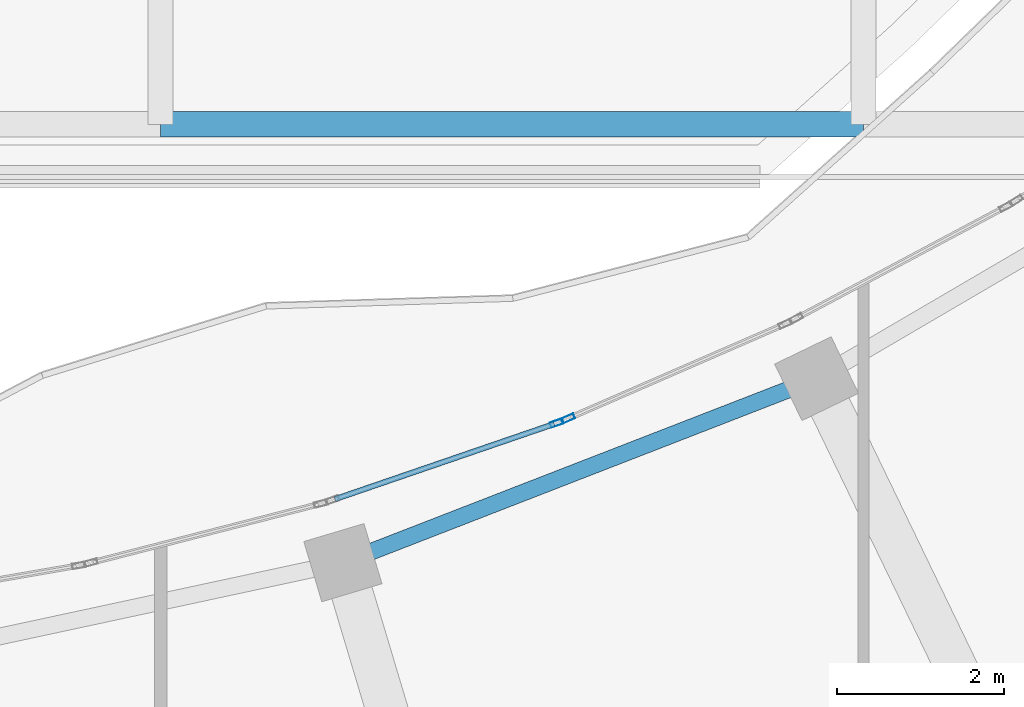
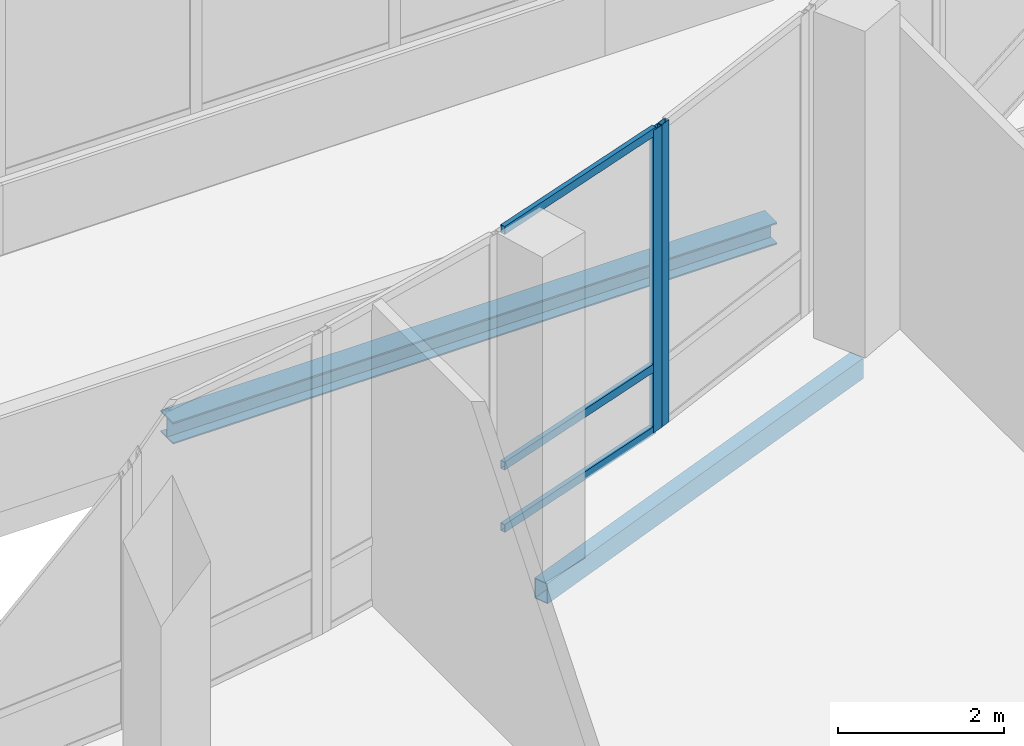
# One storey, part 36 of 168: 5 members, 2 beams, 2 elements without a shape of their own.
"""IFC4 building model written with IfcOpenShell, lengths in metres."""

from ifc_helpers import new_model, si_unit, direction, frame, origin, origin_2d, place, context, subcontext, project, spatial, hollow_rectangle, i_section, extrude, material, material_profile, profile_set, type_object, element, aggregate, save


model = new_model("IFC4")

# Units and contexts
model_context = context("Model", 3, precision=1e-05, world=origin(), true_north=direction((0.0, 1.0)))
body_context = subcontext(model_context, "Body", "Model", "MODEL_VIEW")
ifc_project = project(units=[si_unit("LENGTHUNIT", "METRE"), si_unit("AREAUNIT", "SQUARE_METRE"), si_unit("VOLUMEUNIT", "CUBIC_METRE"), si_unit("PLANEANGLEUNIT", "RADIAN"), si_unit("MASSUNIT", "GRAM", prefix="KILO")], contexts=[model_context])

# Site, building, storey
site_placement = place(None, origin())
site = spatial("IfcSite", under=ifc_project, at=site_placement, CompositionType="ELEMENT")
building_placement = place(site_placement, origin())
building = spatial("IfcBuilding", under=site, at=building_placement, Name="Selatvlak General Hospital", CompositionType="ELEMENT")
storey_placement = place(building_placement, frame((0.0, 0.0, 5.39990234375)))
storey = spatial("IfcBuildingStorey", under=building, at=storey_placement, Name="L01", CompositionType="ELEMENT", Elevation=5.39990234375)

# Beams
ifc_material_1 = material(Name="Steel S355", Category="steel")
ifc_material_profile_1 = material_profile(ifc_material_1, i_section(OverallWidth=0.300048828125, OverallDepth=0.320068359375, WebThickness=0.011474609375, FlangeThickness=0.0205078125, at=origin_2d()), Name="HEB 320")
ifc_profile_set_1 = profile_set([ifc_material_profile_1], Name="Steel S355")
beam_type_1 = type_object("IfcBeamType", Name="BM-CAN", PredefinedType="BEAM", material=ifc_profile_set_1)
beam_1_placement = place(storey_placement, frame((64.800048828125, 48.10009765625, -0.47998046875), z_axis=(1.0, 0.0, 0.0), x_axis=(0.0, 1.0, 0.0)))
element("IfcBeam", 1, at=beam_1_placement, inside=storey, type_object=beam_type_1, Name="Beam BMR-L01-2943", PredefinedType="BEAM", context=body_context, shape_type="SweptSolid", body=[
    extrude(i_section(OverallWidth=0.300048828125, OverallDepth=0.320068359375, WebThickness=0.011474609375, FlangeThickness=0.0205078125, at=origin_2d()), origin(), (0.0, 0.0, 1.0), 8.39990234375),
])
ifc_material_profile_2 = material_profile(ifc_material_1, hollow_rectangle(XDim=0.199951171875, YDim=0.300048828125, WallThickness=0.011962890625, at=origin_2d()), Name="RHS 300x200x12")
ifc_profile_set_2 = profile_set([ifc_material_profile_2], Name="Steel S355")
beam_type_2 = type_object("IfcBeamType", Name="BM-SP3", PredefinedType="SPANDREL", material=ifc_profile_set_2)
beam_2_placement = place(storey_placement, frame((66.97900390625, 42.861083984375, -0.469970703125), z_axis=(0.932142667184, 0.362091215048, 0.0), x_axis=(-0.362091215048, 0.932142667184, 0.0)))
element("IfcBeam", 2, at=beam_2_placement, inside=storey, type_object=beam_type_2, Name="Beam BMR-L01-0741", PredefinedType="SPANDREL", context=body_context, shape_type="SweptSolid", body=[
    extrude(hollow_rectangle(XDim=0.199951171875, YDim=0.300048828125, WallThickness=0.011962890625, at=origin_2d()), origin(), (0.0, 0.0, 1.0), 6.072998046875),
])

# Curtain wall, member
ifc_material_2 = material(Name="Solar-control Low-E double glazing", Category="glass")
curtain_wall_type_1 = type_object("IfcCurtainWallType", Name="CW-CW-02", PredefinedType="USERDEFINED", material=ifc_material_2)
curtain_wall_1_placement = place(storey_placement, origin())
curtain_wall_1 = element("IfcCurtainWall", 3, at=curtain_wall_1_placement, inside=storey, type_object=curtain_wall_type_1, Name="Glazed facade curtain wall CW-L01-0202", ObjectType="UNITISED CURTAIN WALL", PredefinedType="USERDEFINED")
ifc_material_3 = material(Name="Dark anodised aluminium mullion", Category="aluminium")
ifc_material_profile_3 = material_profile(ifc_material_3, hollow_rectangle(XDim=0.06494140625, YDim=0.159912109375, WallThickness=0.00390625, at=origin_2d()), Name="AL-MUL 65x160x4")
ifc_profile_set_3 = profile_set([ifc_material_profile_3], Name="Dark anodised aluminium mullion")
member_type_1 = type_object("IfcMemberType", Name="CWM-01", PredefinedType="MULLION", material=ifc_profile_set_3)
member_1_placement = place(storey_placement, frame((69.53515625, 44.529541015625, 0.0), z_axis=(0.0, 0.0, 1.0), x_axis=(-0.324491825998, 0.945888500226, 0.0)))
member_1 = element("IfcMember", 4, at=member_1_placement, type_object=member_type_1, Name="CW-02 mullion 2", PredefinedType="MULLION", context=body_context, shape_type="SweptSolid", body=[
    extrude(hollow_rectangle(XDim=0.06494140625, YDim=0.159912109375, WallThickness=0.00390625, at=origin_2d()), origin(), (0.0, 0.0, 1.0), 4.445068359375),
])

curtain_wall_type_2 = type_object("IfcCurtainWallType", Name="CW-CW-01", PredefinedType="USERDEFINED", material=ifc_material_2)
curtain_wall_2_placement = place(storey_placement, origin())
curtain_wall_2 = element("IfcCurtainWall", 5, at=curtain_wall_2_placement, inside=storey, type_object=curtain_wall_type_2, Name="Glazed facade curtain wall CW-L01-0203", ObjectType="UNITISED CURTAIN WALL", PredefinedType="USERDEFINED")
member_2_placement = place(storey_placement, frame((69.669677734375, 44.583984375, 0.0), z_axis=(0.0, 0.0, 1.0), x_axis=(-0.399117101371, 0.916899961497, 0.0)))
member_2 = element("IfcMember", 6, at=member_2_placement, type_object=member_type_1, Name="CW-01 mullion 1", PredefinedType="MULLION", context=body_context, shape_type="SweptSolid", body=[
    extrude(hollow_rectangle(XDim=0.06494140625, YDim=0.159912109375, WallThickness=0.00390625, at=origin_2d()), origin(), (0.0, 0.0, 1.0), 4.445068359375),
])
aggregate(curtain_wall_2, [member_2])

# Member
ifc_material_profile_4 = material_profile(ifc_material_3, hollow_rectangle(XDim=0.06494140625, YDim=0.1201171875, WallThickness=0.00390625, at=origin_2d()), Name="AL-TRN 65x120x4")
ifc_profile_set_4 = profile_set([ifc_material_profile_4], Name="Dark anodised aluminium mullion")
member_type_2 = type_object("IfcMemberType", Name="CWT-01", PredefinedType="USERDEFINED", material=ifc_profile_set_4)
member_3_placement = place(storey_placement, frame((66.884521484375, 43.6201171875, 0.03271484375), z_axis=(0.945906537213, 0.324439243709, 0.0), x_axis=(-0.324439243709, 0.945906537213, 0.0)))
member_3 = element("IfcMember", 7, at=member_3_placement, type_object=member_type_2, Name="CW-02 transom 1.1", ObjectType="TRANSOM", PredefinedType="USERDEFINED", context=body_context, shape_type="SweptSolid", body=[
    extrude(hollow_rectangle(XDim=0.06494140625, YDim=0.1201171875, WallThickness=0.00390625, at=origin_2d()), origin(), (0.0, 0.0, 1.0), 2.77001953125),
])

member_4_placement = place(storey_placement, frame((66.884521484375, 43.6201171875, 0.9501953125), z_axis=(0.945906537213, 0.324439243709, 0.0), x_axis=(-0.324439243709, 0.945906537213, 0.0)))
member_4 = element("IfcMember", 8, at=member_4_placement, type_object=member_type_2, Name="CW-02 transom 1.2", ObjectType="TRANSOM", PredefinedType="USERDEFINED", context=body_context, shape_type="SweptSolid", body=[
    extrude(hollow_rectangle(XDim=0.06494140625, YDim=0.1201171875, WallThickness=0.00390625, at=origin_2d()), origin(), (0.0, 0.0, 1.0), 2.77001953125),
])

member_5_placement = place(storey_placement, frame((66.884521484375, 43.6201171875, 4.41259765625), z_axis=(0.945906537213, 0.324439243709, 0.0), x_axis=(-0.324439243709, 0.945906537213, 0.0)))
member_5 = element("IfcMember", 9, at=member_5_placement, type_object=member_type_2, Name="CW-02 transom 1.3", ObjectType="TRANSOM", PredefinedType="USERDEFINED", context=body_context, shape_type="SweptSolid", body=[
    extrude(hollow_rectangle(XDim=0.06494140625, YDim=0.1201171875, WallThickness=0.00390625, at=origin_2d()), origin(), (0.0, 0.0, 1.0), 2.77001953125),
])

aggregate(curtain_wall_1, [member_1, member_3, member_4, member_5])

save(model, "model.ifc")
